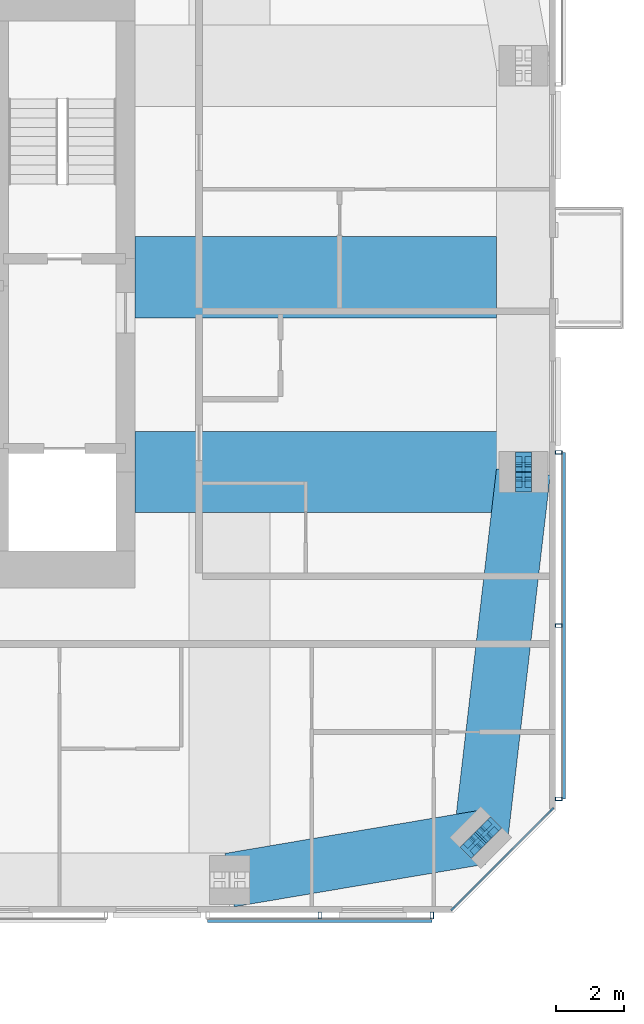
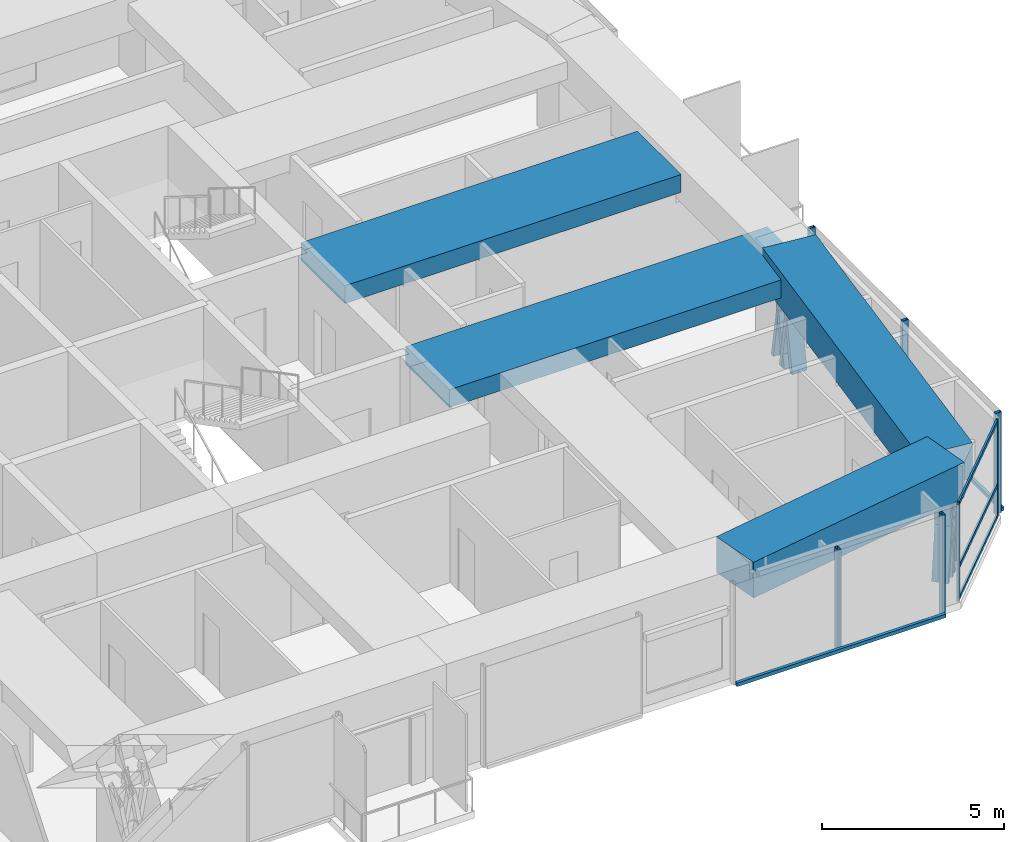
# One storey, part 7 of 18: 20 members, 4 beams, 3 elements without a shape of their own.
"""IFC4 building model written with IfcOpenShell, lengths in metres."""

from ifc_helpers import new_model, si_unit, direction, frame, origin, origin_2d, place, context, subcontext, project, spatial, rectangle, hollow_rectangle, i_section, extrude, material, material_profile, profile_set, type_object, element, aggregate, save


model = new_model("IFC4")

# Units and contexts
model_context = context("Model", 3, precision=1e-05, world=origin(), true_north=direction((0.0, 1.0)))
body_context = subcontext(model_context, "Body", "Model", "MODEL_VIEW")
ifc_project = project(units=[si_unit("LENGTHUNIT", "METRE"), si_unit("AREAUNIT", "SQUARE_METRE"), si_unit("VOLUMEUNIT", "CUBIC_METRE"), si_unit("PLANEANGLEUNIT", "RADIAN"), si_unit("MASSUNIT", "GRAM", prefix="KILO")], contexts=[model_context])

# Site, building, storey
site_placement = place(None, origin())
site = spatial("IfcSite", under=ifc_project, at=site_placement, CompositionType="ELEMENT")
building_placement = place(site_placement, origin())
building = spatial("IfcBuilding", under=site, at=building_placement, Name="Jalousie Tower", CompositionType="ELEMENT")
storey_placement = place(building_placement, frame((0.0, 0.0, 252.949951171875)))
storey = spatial("IfcBuildingStorey", under=building, at=storey_placement, Name="L69", CompositionType="ELEMENT", Elevation=252.949951171875)

# Curtain wall, members
ifc_material_1 = material(Name="Aluminium curtain wall", Category="aluminium")
curtain_wall_type_1 = type_object("IfcCurtainWallType", Name="CORNER WINDOW WALL", PredefinedType="USERDEFINED", material=ifc_material_1)
curtain_wall_1_placement = place(storey_placement, origin())
curtain_wall_1 = element("IfcCurtainWall", 1, at=curtain_wall_1_placement, inside=storey, type_object=curtain_wall_type_1, Name="Corner Window Wall L69 2", ObjectType="CORNER WINDOW WALL", PredefinedType="USERDEFINED")
ifc_material_2 = material(Name="Aluminium mullion", Category="aluminium")
ifc_material_profile_1 = material_profile(ifc_material_2, rectangle(XDim=0.06005859375, YDim=0.14990234375, at=origin_2d()), Name="MULLION 60x150")
ifc_profile_set_1 = profile_set([ifc_material_profile_1], Name="Aluminium mullion")
member_type_1 = type_object("IfcMemberType", Name="CORNER WINDOW WALL MULLION", PredefinedType="MULLION", material=ifc_profile_set_1)
member_1_placement = place(storey_placement, frame((53.469970703125, 0.108642578125, 0.0), z_axis=(0.0, 0.0, 1.0), x_axis=(-0.707106781187, 0.707106781187, 0.0)))
member_1 = element("IfcMember", 2, at=member_1_placement, type_object=member_type_1, Name="CW-C mullion 1", PredefinedType="MULLION", context=body_context, shape_type="SweptSolid", body=[
    extrude(rectangle(XDim=0.06005859375, YDim=0.14990234375, at=origin_2d()), origin(), (0.0, 0.0, 1.0), 3.260009765625),
])
member_2_placement = place(storey_placement, frame((56.391357421875, 3.030029296875, 0.0), z_axis=(0.0, 0.0, 1.0), x_axis=(-0.707106781187, 0.707106781187, 0.0)))
member_2 = element("IfcMember", 3, at=member_2_placement, type_object=member_type_1, Name="CW-C mullion 2", PredefinedType="MULLION", context=body_context, shape_type="SweptSolid", body=[
    extrude(rectangle(XDim=0.06005859375, YDim=0.14990234375, at=origin_2d()), origin(), (0.0, 0.0, 1.0), 3.260009765625),
])
ifc_material_3 = material(Name="Aluminium transom", Category="aluminium")
ifc_material_profile_2 = material_profile(ifc_material_3, rectangle(XDim=0.06005859375, YDim=0.1201171875, at=origin_2d()), Name="TRANSOM 60x120")
ifc_profile_set_2 = profile_set([ifc_material_profile_2], Name="Aluminium transom")
member_type_2 = type_object("IfcMemberType", Name="CORNER WINDOW WALL TRANSOM", PredefinedType="USERDEFINED", material=ifc_profile_set_2)
member_3_placement = place(storey_placement, frame((53.4912109375, 0.1298828125, 0.030029296875), z_axis=(0.707106781187, 0.707106781187, 0.0), x_axis=(-0.707106781187, 0.707106781187, 0.0)))
member_3 = element("IfcMember", 4, at=member_3_placement, type_object=member_type_2, Name="CW-C transom 1.1", ObjectType="TRANSOM", PredefinedType="USERDEFINED", context=body_context, shape_type="SweptSolid", body=[
    extrude(rectangle(XDim=0.06005859375, YDim=0.1201171875, at=origin_2d()), origin(), (0.0, 0.0, 1.0), 4.0712890625),
])
member_4_placement = place(storey_placement, frame((53.4912109375, 0.1298828125, 1.10009765625), z_axis=(0.707106781187, 0.707106781187, 0.0), x_axis=(-0.707106781187, 0.707106781187, 0.0)))
member_4 = element("IfcMember", 5, at=member_4_placement, type_object=member_type_2, Name="CW-C transom 1.2", ObjectType="TRANSOM", PredefinedType="USERDEFINED", context=body_context, shape_type="SweptSolid", body=[
    extrude(rectangle(XDim=0.06005859375, YDim=0.1201171875, at=origin_2d()), origin(), (0.0, 0.0, 1.0), 4.0712890625),
])
member_5_placement = place(storey_placement, frame((53.4912109375, 0.1298828125, 3.22998046875), z_axis=(0.707106781187, 0.707106781187, 0.0), x_axis=(-0.707106781187, 0.707106781187, 0.0)))
member_5 = element("IfcMember", 6, at=member_5_placement, type_object=member_type_2, Name="CW-C transom 1.3", ObjectType="TRANSOM", PredefinedType="USERDEFINED", context=body_context, shape_type="SweptSolid", body=[
    extrude(rectangle(XDim=0.06005859375, YDim=0.1201171875, at=origin_2d()), origin(), (0.0, 0.0, 1.0), 4.0712890625),
])
aggregate(curtain_wall_1, [member_1, member_2, member_3, member_4, member_5])

# Members
ifc_material_4 = material(Name="Steel ASTM A992 Grade 50", Category="steel")
ifc_material_profile_3 = material_profile(ifc_material_4, i_section(OverallWidth=0.472412109375, OverallDepth=0.5791015625, WebThickness=0.094970703125, FlangeThickness=0.1298828125, at=origin_2d()), Name="W14X808")
ifc_profile_set_3 = profile_set([ifc_material_profile_3], Name="Steel ASTM A992 Grade 50")
member_type_3 = type_object("IfcMemberType", Name="PERIMETER BRACE W14X808", PredefinedType="BRACE", material=ifc_profile_set_3)
for number, where, z_axis, x_axis, name in (
    (7, (54.04541015625, 1.959716796875, -0.599853515625), (0.138716051522, 0.138579250682, 0.980588419435), (-0.706757851183, 0.707455539091, 0.0), "Perimeter brace 05 L69 part 1"),
    (8, (54.29296875, 2.20703125, 1.150146484375), (0.138579250682, 0.138716051522, 0.980588419435), (-0.707455539091, 0.706757851183, 0.0), "Perimeter brace 05 L69 part 2"),
    (9, (54.540283203125, 2.45458984375, -0.599853515625), (-0.138579250682, -0.138716051522, 0.980588419435), (0.707455539091, -0.706757851183, 0.0), "Perimeter brace 05 L69 part 3"),
    (10, (54.29296875, 2.20703125, 1.150146484375), (-0.138716051522, -0.138579250682, 0.980588419435), (0.706757851183, -0.707455539091, 0.0), "Perimeter brace 05 L69 part 4"),
):
    element("IfcMember", number, at=place(storey_placement, frame(where, z_axis=z_axis, x_axis=x_axis)), inside=storey, type_object=member_type_3, Name=name, PredefinedType="BRACE", context=body_context, shape_type="SweptSolid", body=[
        extrude(i_section(OverallWidth=0.472412109375, OverallDepth=0.5791015625, WebThickness=0.094970703125, FlangeThickness=0.1298828125, at=origin_2d()), origin(), (0.0, 0.0, 1.0), 1.78466796875),
    ])
for number, where, z_axis, x_axis, name in (
    (11, (55.550048828125, 12.699951171875, -0.599853515625), (0.0, 0.168990530437, 0.98561767467), (-1.0, 0.0, 0.0), "Perimeter brace 06 L69 part 1"),
    (12, (55.550048828125, 13.0, 1.150146484375), (0.0, 0.168990530437, 0.98561767467), (-1.0, 0.0, 0.0), "Perimeter brace 06 L69 part 2"),
    (13, (55.550048828125, 13.300048828125, -0.599853515625), (0.0, -0.168990530437, 0.98561767467), (1.0, 0.0, 0.0), "Perimeter brace 06 L69 part 3"),
    (14, (55.550048828125, 13.0, 1.150146484375), (0.0, -0.168990530437, 0.98561767467), (1.0, 0.0, 0.0), "Perimeter brace 06 L69 part 4"),
):
    element("IfcMember", number, at=place(storey_placement, frame(where, z_axis=z_axis, x_axis=x_axis)), inside=storey, type_object=member_type_3, Name=name, PredefinedType="BRACE", context=body_context, shape_type="SweptSolid", body=[
        extrude(i_section(OverallWidth=0.472412109375, OverallDepth=0.5791015625, WebThickness=0.094970703125, FlangeThickness=0.1298828125, at=origin_2d()), origin(), (0.0, 0.0, 1.0), 1.775634765625),
    ])

# Beams
ifc_material_5 = material(Name="Concrete f'c 40 MPa", Category="concrete")
ifc_material_profile_4 = material_profile(ifc_material_5, rectangle(XDim=1.60009765625, YDim=1.199951171875, at=origin_2d()), Name="RC 1600x1200")
ifc_profile_set_4 = profile_set([ifc_material_profile_4], Name="Concrete f'c 40 MPa")
beam_type_1 = type_object("IfcBeamType", Name="RC BEAM 1600x1200", PredefinedType="BEAM", material=ifc_profile_set_4)
beam_1_placement = place(storey_placement, frame((46.875, 0.949951171875, 2.900146484375), z_axis=(0.985942997446, 0.167082033105, 0.0), x_axis=(-0.167082033105, 0.985942997446, 0.0)))
element("IfcBeam", 15, at=beam_1_placement, inside=storey, type_object=beam_type_1, Name="Edge band beam 04-05 under L70", PredefinedType="BEAM", context=body_context, shape_type="SweptSolid", body=[
    extrude(rectangle(XDim=1.60009765625, YDim=1.199951171875, at=origin_2d()), origin(), (0.0, 0.0, 1.0), 7.523681640625),
])
beam_2_placement = place(storey_placement, frame((54.29296875, 2.20703125, 2.900146484375), z_axis=(0.115690063472, 0.993285361421, 0.0), x_axis=(-0.993285361421, 0.115690063472, 0.0)))
element("IfcBeam", 16, at=beam_2_placement, inside=storey, type_object=beam_type_1, Name="Edge band beam 05-06 under L70", PredefinedType="BEAM", context=body_context, shape_type="SweptSolid", body=[
    extrude(rectangle(XDim=1.60009765625, YDim=1.199951171875, at=origin_2d()), origin(), (0.0, 0.0, 1.0), 10.865966796875),
])
ifc_material_6 = material(Name="Concrete f'c 40 MPa", Category="concrete")
ifc_material_profile_5 = material_profile(ifc_material_6, rectangle(XDim=2.39990234375, YDim=0.60009765625, at=origin_2d()), Name="RC 2400x600")
ifc_profile_set_5 = profile_set([ifc_material_profile_5], Name="Concrete f'c 40 MPa")
beam_type_2 = type_object("IfcBeamType", Name="RC BEAM 2400x600", PredefinedType="BEAM", material=ifc_profile_set_5)
beam_3_placement = place(storey_placement, frame((55.550048828125, 13.0, 2.9599609375), z_axis=(-1.0, 0.0, 0.0), x_axis=(0.0, -1.0, 0.0)))
element("IfcBeam", 17, at=beam_3_placement, inside=storey, type_object=beam_type_2, Name="Floor band beam under L70", PredefinedType="BEAM", context=body_context, shape_type="SweptSolid", body=[
    extrude(rectangle(XDim=2.39990234375, YDim=0.60009765625, at=origin_2d()), origin(), (0.0, 0.0, 1.0), 11.47509765625),
])
beam_4_placement = place(storey_placement, frame((44.074951171875, 18.75, 2.9599609375), z_axis=(1.0, 0.0, 0.0), x_axis=(0.0, 1.0, 0.0)))
element("IfcBeam", 18, at=beam_4_placement, inside=storey, type_object=beam_type_2, Name="Floor band beam under L70", PredefinedType="BEAM", context=body_context, shape_type="SweptSolid", body=[
    extrude(rectangle(XDim=2.39990234375, YDim=0.60009765625, at=origin_2d()), origin(), (0.0, 0.0, 1.0), 10.675048828125),
])

# Curtain wall, members
ifc_material_7 = material(Name="Perforated aluminium sheet", Category="aluminium")
curtain_wall_type_2 = type_object("IfcCurtainWallType", Name="SOLAR SCREEN SS-2", PredefinedType="USERDEFINED", material=ifc_material_7)
curtain_wall_2_placement = place(storey_placement, origin())
curtain_wall_2 = element("IfcCurtainWall", 19, at=curtain_wall_2_placement, inside=storey, type_object=curtain_wall_type_2, Name="Solar screen L69", ObjectType="SOLAR SCREEN SS-2", PredefinedType="USERDEFINED")
ifc_material_8 = material(Name="Steel ASTM A500 Grade C", Category="steel")
ifc_material_profile_6 = material_profile(ifc_material_8, hollow_rectangle(XDim=0.1015625, YDim=0.203125, WallThickness=0.0078125, at=origin_2d()), Name="HSS8X4X5/16")
ifc_profile_set_6 = profile_set([ifc_material_profile_6], Name="Steel ASTM A500 Grade C")
member_type_4 = type_object("IfcMemberType", Name="SOLAR SCREEN SS-2 MULLION", PredefinedType="MULLION", material=ifc_profile_set_6)
member_6_placement = place(storey_placement, frame((49.53759765625, -0.0966796875, -0.119873046875), z_axis=(0.0, 0.0, 1.0), x_axis=(1.0, 0.0, 0.0)))
member_6 = element("IfcMember", 20, at=member_6_placement, type_object=member_type_4, Name="SS2 post 2", PredefinedType="MULLION", context=body_context, shape_type="SweptSolid", body=[
    extrude(hollow_rectangle(XDim=0.1015625, YDim=0.203125, WallThickness=0.0078125, at=origin_2d()), origin(), (0.0, 0.0, 1.0), 3.3798828125),
])
member_7_placement = place(storey_placement, frame((52.85009765625, -0.0966796875, -0.119873046875), z_axis=(0.0, 0.0, 1.0), x_axis=(1.0, 0.0, 0.0)))
member_7 = element("IfcMember", 21, at=member_7_placement, type_object=member_type_4, Name="SS2 post 3", PredefinedType="MULLION", context=body_context, shape_type="SweptSolid", body=[
    extrude(hollow_rectangle(XDim=0.1015625, YDim=0.203125, WallThickness=0.0078125, at=origin_2d()), origin(), (0.0, 0.0, 1.0), 3.3798828125),
])

curtain_wall_3_placement = place(storey_placement, origin())
curtain_wall_3 = element("IfcCurtainWall", 22, at=curtain_wall_3_placement, inside=storey, type_object=curtain_wall_type_2, Name="Solar screen L69", ObjectType="SOLAR SCREEN SS-2", PredefinedType="USERDEFINED")
member_8_placement = place(storey_placement, frame((56.5966796875, 3.351318359375, -0.119873046875), z_axis=(0.0, 0.0, 1.0), x_axis=(0.0, 1.0, 0.0)))
member_8 = element("IfcMember", 23, at=member_8_placement, type_object=member_type_4, Name="SS2 post 1", PredefinedType="MULLION", context=body_context, shape_type="SweptSolid", body=[
    extrude(hollow_rectangle(XDim=0.1015625, YDim=0.203125, WallThickness=0.0078125, at=origin_2d()), origin(), (0.0, 0.0, 1.0), 3.3798828125),
])
member_9_placement = place(storey_placement, frame((56.5966796875, 8.466552734375, -0.119873046875), z_axis=(0.0, 0.0, 1.0), x_axis=(0.0, 1.0, 0.0)))
member_9 = element("IfcMember", 24, at=member_9_placement, type_object=member_type_4, Name="SS2 post 2", PredefinedType="MULLION", context=body_context, shape_type="SweptSolid", body=[
    extrude(hollow_rectangle(XDim=0.1015625, YDim=0.203125, WallThickness=0.0078125, at=origin_2d()), origin(), (0.0, 0.0, 1.0), 3.3798828125),
])
member_10_placement = place(storey_placement, frame((56.5966796875, 13.581787109375, -0.119873046875), z_axis=(0.0, 0.0, 1.0), x_axis=(0.0, 1.0, 0.0)))
member_10 = element("IfcMember", 25, at=member_10_placement, type_object=member_type_4, Name="SS2 post 3", PredefinedType="MULLION", context=body_context, shape_type="SweptSolid", body=[
    extrude(hollow_rectangle(XDim=0.1015625, YDim=0.203125, WallThickness=0.0078125, at=origin_2d()), origin(), (0.0, 0.0, 1.0), 3.3798828125),
])

# Member
ifc_material_9 = material(Name="Extruded aluminium screen rail", Category="aluminium")
ifc_material_profile_7 = material_profile(ifc_material_9, rectangle(XDim=0.1015625, YDim=0.1201171875, at=origin_2d()), Name="RAIL 102x120")
ifc_profile_set_7 = profile_set([ifc_material_profile_7], Name="Extruded aluminium screen rail")
member_type_5 = type_object("IfcMemberType", Name="SOLAR SCREEN SS-2 TRANSOM", PredefinedType="USERDEFINED", material=ifc_profile_set_7)
member_11_placement = place(storey_placement, frame((46.22509765625, -0.2490234375, -0.06005859375), z_axis=(1.0, 0.0, 0.0), x_axis=(0.0, 1.0, 0.0)))
member_11 = element("IfcMember", 26, at=member_11_placement, type_object=member_type_5, Name="SS2 rail", ObjectType="TRANSOM", PredefinedType="USERDEFINED", context=body_context, shape_type="SweptSolid", body=[
    extrude(rectangle(XDim=0.1015625, YDim=0.1201171875, at=origin_2d()), origin(), (0.0, 0.0, 1.0), 6.625),
])

aggregate(curtain_wall_2, [member_6, member_7, member_11])

member_12_placement = place(storey_placement, frame((56.7490234375, 3.351318359375, -0.06005859375), z_axis=(0.0, 1.0, 0.0), x_axis=(-1.0, 0.0, 0.0)))
member_12 = element("IfcMember", 27, at=member_12_placement, type_object=member_type_5, Name="SS2 rail", ObjectType="TRANSOM", PredefinedType="USERDEFINED", context=body_context, shape_type="SweptSolid", body=[
    extrude(rectangle(XDim=0.1015625, YDim=0.1201171875, at=origin_2d()), origin(), (0.0, 0.0, 1.0), 10.23046875),
])

aggregate(curtain_wall_3, [member_8, member_9, member_10, member_12])

save(model, "model.ifc")
